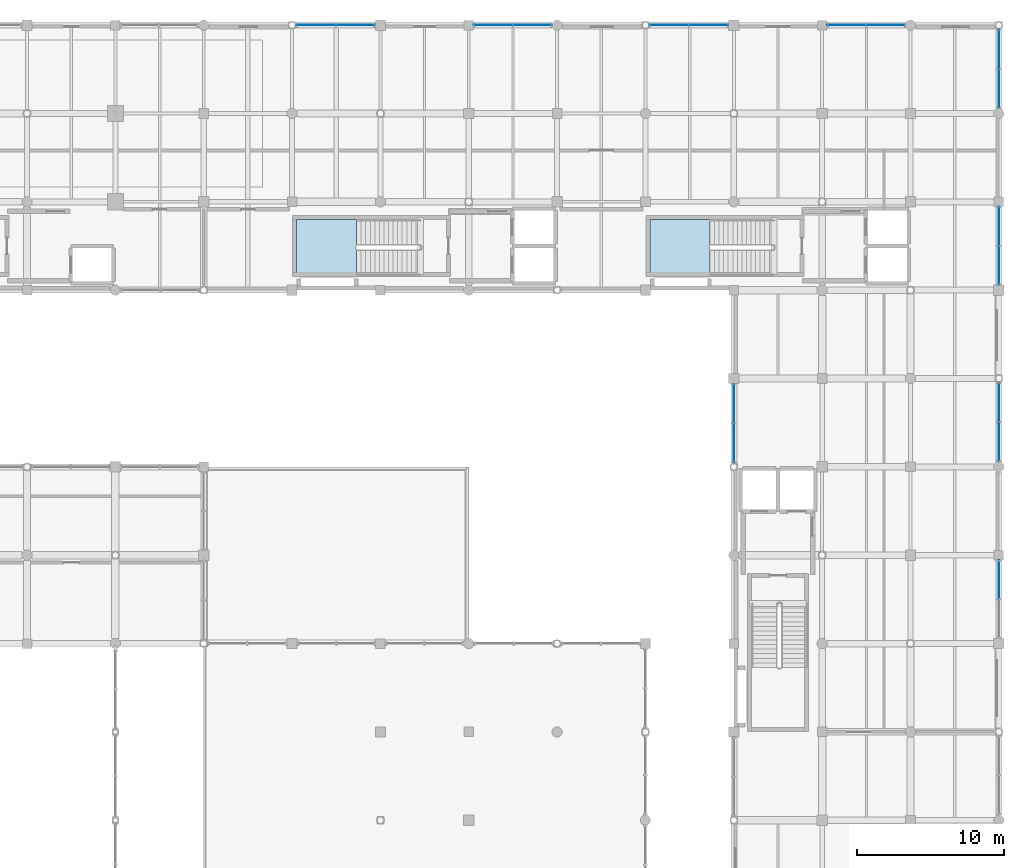
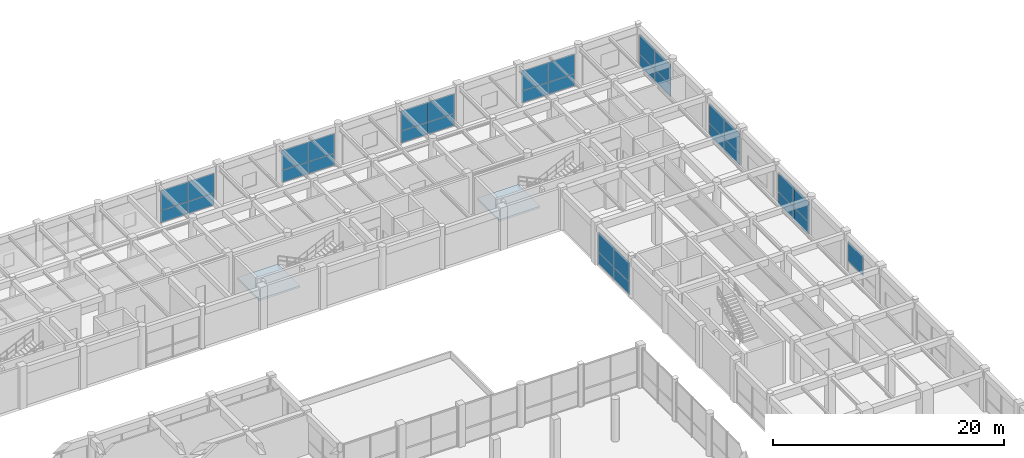
# One storey, part 82 of 116: 33 plates, 2 slabs, 11 elements without a shape of their own.
"""IFC4 building model written with IfcOpenShell, lengths in metres."""

from ifc_helpers import new_model, si_unit, direction, frame, frame_2d, origin, place, context, subcontext, project, spatial, polyline, rectangle, outline, extrude, material, layer, layer_set, type_object, element, aggregate, save


model = new_model("IFC4")

# Units and contexts
model_context = context("Model", 3, precision=1e-05, world=origin(), true_north=direction((0.0, 1.0)))
body_context = subcontext(model_context, "Body", "Model", "MODEL_VIEW")
ifc_project = project(units=[si_unit("LENGTHUNIT", "METRE"), si_unit("AREAUNIT", "SQUARE_METRE"), si_unit("VOLUMEUNIT", "CUBIC_METRE"), si_unit("PLANEANGLEUNIT", "RADIAN"), si_unit("MASSUNIT", "GRAM", prefix="KILO"), si_unit("THERMODYNAMICTEMPERATUREUNIT", "KELVIN"), si_unit("POWERUNIT", "WATT")], contexts=[model_context])

# Site, building, storey
site_placement = place(None, origin())
site = spatial("IfcSite", under=ifc_project, at=site_placement, CompositionType="ELEMENT")
building_placement = place(site_placement, origin())
building = spatial("IfcBuilding", under=site, at=building_placement, Name="Phaisarnlok Congress Hotel", CompositionType="ELEMENT")
storey_placement = place(building_placement, frame((0.0, 0.0, 10.5)))
storey = spatial("IfcBuildingStorey", under=building, at=storey_placement, Name="L02", CompositionType="ELEMENT", Elevation=10.5)

# Curtain wall, plates
ifc_material_1 = material(Name="Thermally Broken Unitised Aluminium & Low-E Glazing", Category="aluminium")
curtain_wall_type_1 = type_object("IfcCurtainWallType", Name="CW-UNIT-17", PredefinedType="NOTDEFINED", material=ifc_material_1)
curtain_wall_1_placement = place(storey_placement, origin())
curtain_wall_1 = element("IfcCurtainWall", 1, at=curtain_wall_1_placement, inside=storey, type_object=curtain_wall_type_1, Name="Unitised curtain wall CW-17 (L02)", PredefinedType="NOTDEFINED")
ifc_material_2 = material(Name="Double Low-E Insulated Glazing", Category="glass")
ifc_layer_1 = layer(ifc_material_2, 0.028076171875, Name="Double Low-E Insulated Glazing")
ifc_layer_set_1 = layer_set([ifc_layer_1], Name="Double Low-E Insulated Glazing")
plate_type = type_object("IfcPlateType", Name="CWP-GLZ-28", PredefinedType="CURTAIN_PANEL", material=ifc_layer_set_1)
plate_1_placement = place(storey_placement, frame((162.0, 101.625, 0.0400390625), z_axis=(0.0, 0.0, 1.0), x_axis=(0.0, -1.0, 0.0)))
plate_1 = element("IfcPlate", 2, at=plate_1_placement, type_object=plate_type, Name="Glazed curtain panel CWP-01", PredefinedType="CURTAIN_PANEL", context=body_context, shape_type="SweptSolid", body=[
    extrude(rectangle(XDim=2.657958984375, YDim=0.028076171875, at=frame_2d((1.3291015625, 0.0))), origin(), (0.0, 0.0, 1.0), 1.2861328125),
])
plate_2_placement = place(storey_placement, frame((162.0, 101.625, 1.326171875), z_axis=(0.0, 0.0, 1.0), x_axis=(0.0, -1.0, 0.0)))
plate_2 = element("IfcPlate", 3, at=plate_2_placement, type_object=plate_type, Name="Glazed curtain panel CWP-01", PredefinedType="CURTAIN_PANEL", context=body_context, shape_type="SweptSolid", body=[
    extrude(rectangle(XDim=2.657958984375, YDim=0.028076171875, at=frame_2d((1.3291015625, 0.0))), origin(), (0.0, 0.0, 1.0), 2.123779296875),
])
plate_3_placement = place(storey_placement, frame((162.0, 98.93701171875, 0.0400390625), z_axis=(0.0, 0.0, 1.0), x_axis=(0.0, -1.0, 0.0)))
plate_3 = element("IfcPlate", 4, at=plate_3_placement, type_object=plate_type, Name="Glazed curtain panel CWP-01", PredefinedType="CURTAIN_PANEL", context=body_context, shape_type="SweptSolid", body=[
    extrude(rectangle(XDim=2.657958984375, YDim=0.028076171875, at=frame_2d((1.3291015625, 0.0))), origin(), (0.0, 0.0, 1.0), 1.2861328125),
])
plate_4_placement = place(storey_placement, frame((162.0, 98.93701171875, 1.326171875), z_axis=(0.0, 0.0, 1.0), x_axis=(0.0, -1.0, 0.0)))
plate_4 = element("IfcPlate", 5, at=plate_4_placement, type_object=plate_type, Name="Glazed curtain panel CWP-01", PredefinedType="CURTAIN_PANEL", context=body_context, shape_type="SweptSolid", body=[
    extrude(rectangle(XDim=2.657958984375, YDim=0.028076171875, at=frame_2d((1.3291015625, 0.0))), origin(), (0.0, 0.0, 1.0), 2.123779296875),
])
aggregate(curtain_wall_1, [plate_1, plate_2, plate_3, plate_4])

# Curtain wall, plate
curtain_wall_type_2 = type_object("IfcCurtainWallType", Name="CW-UNIT-16", PredefinedType="NOTDEFINED", material=ifc_material_1)
curtain_wall_2_placement = place(storey_placement, origin())
curtain_wall_2 = element("IfcCurtainWall", 6, at=curtain_wall_2_placement, inside=storey, type_object=curtain_wall_type_2, Name="Unitised curtain wall CW-16 (L02)", PredefinedType="NOTDEFINED")
plate_5_placement = place(storey_placement, frame((180.0, 87.027587890625, 1.326171875), z_axis=(0.0, 0.0, 1.0), x_axis=(0.0, 1.0, 0.0)))
plate_5 = element("IfcPlate", 7, at=plate_5_placement, type_object=plate_type, Name="Glazed curtain panel CWP-01", PredefinedType="CURTAIN_PANEL", context=body_context, shape_type="SweptSolid", body=[
    extrude(rectangle(XDim=2.622314453125, YDim=0.028076171875, at=frame_2d((1.31103515625, 0.0))), origin(), (0.0, 0.0, 1.0), 2.123779296875),
])
aggregate(curtain_wall_2, [plate_5])

# Curtain wall, plates
curtain_wall_3_placement = place(storey_placement, origin())
curtain_wall_3 = element("IfcCurtainWall", 8, at=curtain_wall_3_placement, inside=storey, type_object=curtain_wall_type_1, Name="Unitised curtain wall CW-17 (L02)", PredefinedType="NOTDEFINED")
plate_6_placement = place(storey_placement, frame((180.0, 96.375, 0.0400390625), z_axis=(0.0, 0.0, 1.0), x_axis=(0.0, 1.0, 0.0)))
plate_6 = element("IfcPlate", 9, at=plate_6_placement, type_object=plate_type, Name="Glazed curtain panel CWP-01", PredefinedType="CURTAIN_PANEL", context=body_context, shape_type="SweptSolid", body=[
    extrude(rectangle(XDim=2.657958984375, YDim=0.028076171875, at=frame_2d((1.3291015625, 0.0))), origin(), (0.0, 0.0, 1.0), 1.2861328125),
])
plate_7_placement = place(storey_placement, frame((180.0, 96.375, 1.326171875), z_axis=(0.0, 0.0, 1.0), x_axis=(0.0, 1.0, 0.0)))
plate_7 = element("IfcPlate", 10, at=plate_7_placement, type_object=plate_type, Name="Glazed curtain panel CWP-01", PredefinedType="CURTAIN_PANEL", context=body_context, shape_type="SweptSolid", body=[
    extrude(rectangle(XDim=2.657958984375, YDim=0.028076171875, at=frame_2d((1.3291015625, 0.0))), origin(), (0.0, 0.0, 1.0), 2.123779296875),
])
plate_8_placement = place(storey_placement, frame((180.0, 99.06298828125, 0.0400390625), z_axis=(0.0, 0.0, 1.0), x_axis=(0.0, 1.0, 0.0)))
plate_8 = element("IfcPlate", 11, at=plate_8_placement, type_object=plate_type, Name="Glazed curtain panel CWP-01", PredefinedType="CURTAIN_PANEL", context=body_context, shape_type="SweptSolid", body=[
    extrude(rectangle(XDim=2.657958984375, YDim=0.028076171875, at=frame_2d((1.3291015625, 0.0))), origin(), (0.0, 0.0, 1.0), 1.2861328125),
])
plate_9_placement = place(storey_placement, frame((180.0, 99.06298828125, 1.326171875), z_axis=(0.0, 0.0, 1.0), x_axis=(0.0, 1.0, 0.0)))
plate_9 = element("IfcPlate", 12, at=plate_9_placement, type_object=plate_type, Name="Glazed curtain panel CWP-01", PredefinedType="CURTAIN_PANEL", context=body_context, shape_type="SweptSolid", body=[
    extrude(rectangle(XDim=2.657958984375, YDim=0.028076171875, at=frame_2d((1.3291015625, 0.0))), origin(), (0.0, 0.0, 1.0), 2.123779296875),
])
aggregate(curtain_wall_3, [plate_6, plate_7, plate_8, plate_9])

curtain_wall_4_placement = place(storey_placement, origin())
curtain_wall_4 = element("IfcCurtainWall", 13, at=curtain_wall_4_placement, inside=storey, type_object=curtain_wall_type_2, Name="Unitised curtain wall CW-16 (L02)", PredefinedType="NOTDEFINED")
plate_10_placement = place(storey_placement, frame((180.0, 108.375, 0.0400390625), z_axis=(0.0, 0.0, 1.0), x_axis=(0.0, 1.0, 0.0)))
plate_10 = element("IfcPlate", 14, at=plate_10_placement, type_object=plate_type, Name="Glazed curtain panel CWP-01", PredefinedType="CURTAIN_PANEL", context=body_context, shape_type="SweptSolid", body=[
    extrude(rectangle(XDim=2.62255859375, YDim=0.028076171875, at=frame_2d((1.311279296875, 0.0))), origin(), (0.0, 0.0, 1.0), 1.2861328125),
])
plate_11_placement = place(storey_placement, frame((180.0, 108.375, 1.326171875), z_axis=(0.0, 0.0, 1.0), x_axis=(0.0, 1.0, 0.0)))
plate_11 = element("IfcPlate", 15, at=plate_11_placement, type_object=plate_type, Name="Glazed curtain panel CWP-01", PredefinedType="CURTAIN_PANEL", context=body_context, shape_type="SweptSolid", body=[
    extrude(rectangle(XDim=2.62255859375, YDim=0.028076171875, at=frame_2d((1.311279296875, 0.0))), origin(), (0.0, 0.0, 1.0), 2.123779296875),
])
plate_12_placement = place(storey_placement, frame((180.0, 111.027587890625, 0.0400390625), z_axis=(0.0, 0.0, 1.0), x_axis=(0.0, 1.0, 0.0)))
plate_12 = element("IfcPlate", 16, at=plate_12_placement, type_object=plate_type, Name="Glazed curtain panel CWP-01", PredefinedType="CURTAIN_PANEL", context=body_context, shape_type="SweptSolid", body=[
    extrude(rectangle(XDim=2.622314453125, YDim=0.028076171875, at=frame_2d((1.31103515625, 0.0))), origin(), (0.0, 0.0, 1.0), 1.2861328125),
])
plate_13_placement = place(storey_placement, frame((180.0, 111.027587890625, 1.326171875), z_axis=(0.0, 0.0, 1.0), x_axis=(0.0, 1.0, 0.0)))
plate_13 = element("IfcPlate", 17, at=plate_13_placement, type_object=plate_type, Name="Glazed curtain panel CWP-01", PredefinedType="CURTAIN_PANEL", context=body_context, shape_type="SweptSolid", body=[
    extrude(rectangle(XDim=2.622314453125, YDim=0.028076171875, at=frame_2d((1.31103515625, 0.0))), origin(), (0.0, 0.0, 1.0), 2.123779296875),
])
aggregate(curtain_wall_4, [plate_10, plate_11, plate_12, plate_13])

curtain_wall_5_placement = place(storey_placement, origin())
curtain_wall_5 = element("IfcCurtainWall", 18, at=curtain_wall_5_placement, inside=storey, type_object=curtain_wall_type_1, Name="Unitised curtain wall CW-17 (L02)", PredefinedType="NOTDEFINED")
plate_14_placement = place(storey_placement, frame((180.0, 120.375, 0.0400390625), z_axis=(0.0, 0.0, 1.0), x_axis=(0.0, 1.0, 0.0)))
plate_14 = element("IfcPlate", 19, at=plate_14_placement, type_object=plate_type, Name="Glazed curtain panel CWP-01", PredefinedType="CURTAIN_PANEL", context=body_context, shape_type="SweptSolid", body=[
    extrude(rectangle(XDim=2.657958984375, YDim=0.028076171875, at=frame_2d((1.3291015625, 0.0))), origin(), (0.0, 0.0, 1.0), 1.2861328125),
])
plate_15_placement = place(storey_placement, frame((180.0, 120.375, 1.326171875), z_axis=(0.0, 0.0, 1.0), x_axis=(0.0, 1.0, 0.0)))
plate_15 = element("IfcPlate", 20, at=plate_15_placement, type_object=plate_type, Name="Glazed curtain panel CWP-01", PredefinedType="CURTAIN_PANEL", context=body_context, shape_type="SweptSolid", body=[
    extrude(rectangle(XDim=2.657958984375, YDim=0.028076171875, at=frame_2d((1.3291015625, 0.0))), origin(), (0.0, 0.0, 1.0), 2.123779296875),
])
plate_16_placement = place(storey_placement, frame((180.0, 123.06298828125, 0.0400390625), z_axis=(0.0, 0.0, 1.0), x_axis=(0.0, 1.0, 0.0)))
plate_16 = element("IfcPlate", 21, at=plate_16_placement, type_object=plate_type, Name="Glazed curtain panel CWP-01", PredefinedType="CURTAIN_PANEL", context=body_context, shape_type="SweptSolid", body=[
    extrude(rectangle(XDim=2.657958984375, YDim=0.028076171875, at=frame_2d((1.3291015625, 0.0))), origin(), (0.0, 0.0, 1.0), 1.2861328125),
])
plate_17_placement = place(storey_placement, frame((180.0, 123.06298828125, 1.326171875), z_axis=(0.0, 0.0, 1.0), x_axis=(0.0, 1.0, 0.0)))
plate_17 = element("IfcPlate", 22, at=plate_17_placement, type_object=plate_type, Name="Glazed curtain panel CWP-01", PredefinedType="CURTAIN_PANEL", context=body_context, shape_type="SweptSolid", body=[
    extrude(rectangle(XDim=2.657958984375, YDim=0.028076171875, at=frame_2d((1.3291015625, 0.0))), origin(), (0.0, 0.0, 1.0), 2.123779296875),
])
aggregate(curtain_wall_5, [plate_14, plate_15, plate_16, plate_17])

curtain_wall_6_placement = place(storey_placement, origin())
curtain_wall_6 = element("IfcCurtainWall", 23, at=curtain_wall_6_placement, inside=storey, type_object=curtain_wall_type_2, Name="Unitised curtain wall CW-16 (L02)", PredefinedType="NOTDEFINED")
plate_18_placement = place(storey_placement, frame((173.625, 126.0, 0.0400390625), z_axis=(0.0, 0.0, 1.0), x_axis=(-1.0, 0.0, 0.0)))
plate_18 = element("IfcPlate", 24, at=plate_18_placement, type_object=plate_type, Name="Glazed curtain panel CWP-01", PredefinedType="CURTAIN_PANEL", context=body_context, shape_type="SweptSolid", body=[
    extrude(rectangle(XDim=2.62255859375, YDim=0.028076171875, at=frame_2d((1.311279296875, 0.0))), origin(), (0.0, 0.0, 1.0), 1.2861328125),
])
plate_19_placement = place(storey_placement, frame((173.625, 126.0, 1.326171875), z_axis=(0.0, 0.0, 1.0), x_axis=(-1.0, 0.0, 0.0)))
plate_19 = element("IfcPlate", 25, at=plate_19_placement, type_object=plate_type, Name="Glazed curtain panel CWP-01", PredefinedType="CURTAIN_PANEL", context=body_context, shape_type="SweptSolid", body=[
    extrude(rectangle(XDim=2.62255859375, YDim=0.028076171875, at=frame_2d((1.311279296875, 0.0))), origin(), (0.0, 0.0, 1.0), 2.123779296875),
])
plate_20_placement = place(storey_placement, frame((170.972412109375, 126.0, 0.0400390625), z_axis=(0.0, 0.0, 1.0), x_axis=(-1.0, 0.0, 0.0)))
plate_20 = element("IfcPlate", 26, at=plate_20_placement, type_object=plate_type, Name="Glazed curtain panel CWP-01", PredefinedType="CURTAIN_PANEL", context=body_context, shape_type="SweptSolid", body=[
    extrude(rectangle(XDim=2.622314453125, YDim=0.028076171875, at=frame_2d((1.31103515625, 0.0))), origin(), (0.0, 0.0, 1.0), 1.2861328125),
])
plate_21_placement = place(storey_placement, frame((170.972412109375, 126.0, 1.326171875), z_axis=(0.0, 0.0, 1.0), x_axis=(-1.0, 0.0, 0.0)))
plate_21 = element("IfcPlate", 27, at=plate_21_placement, type_object=plate_type, Name="Glazed curtain panel CWP-01", PredefinedType="CURTAIN_PANEL", context=body_context, shape_type="SweptSolid", body=[
    extrude(rectangle(XDim=2.622314453125, YDim=0.028076171875, at=frame_2d((1.31103515625, 0.0))), origin(), (0.0, 0.0, 1.0), 2.123779296875),
])
aggregate(curtain_wall_6, [plate_18, plate_19, plate_20, plate_21])

curtain_wall_7_placement = place(storey_placement, origin())
curtain_wall_7 = element("IfcCurtainWall", 28, at=curtain_wall_7_placement, inside=storey, type_object=curtain_wall_type_1, Name="Unitised curtain wall CW-17 (L02)", PredefinedType="NOTDEFINED")
plate_22_placement = place(storey_placement, frame((161.625, 126.0, 0.0400390625), z_axis=(0.0, 0.0, 1.0), x_axis=(-1.0, 0.0, 0.0)))
plate_22 = element("IfcPlate", 29, at=plate_22_placement, type_object=plate_type, Name="Glazed curtain panel CWP-01", PredefinedType="CURTAIN_PANEL", context=body_context, shape_type="SweptSolid", body=[
    extrude(rectangle(XDim=2.657958984375, YDim=0.028076171875, at=frame_2d((1.3291015625, 0.0))), origin(), (0.0, 0.0, 1.0), 1.2861328125),
])
plate_23_placement = place(storey_placement, frame((161.625, 126.0, 1.326171875), z_axis=(0.0, 0.0, 1.0), x_axis=(-1.0, 0.0, 0.0)))
plate_23 = element("IfcPlate", 30, at=plate_23_placement, type_object=plate_type, Name="Glazed curtain panel CWP-01", PredefinedType="CURTAIN_PANEL", context=body_context, shape_type="SweptSolid", body=[
    extrude(rectangle(XDim=2.657958984375, YDim=0.028076171875, at=frame_2d((1.3291015625, 0.0))), origin(), (0.0, 0.0, 1.0), 2.123779296875),
])
plate_24_placement = place(storey_placement, frame((158.93701171875, 126.0, 0.0400390625), z_axis=(0.0, 0.0, 1.0), x_axis=(-1.0, 0.0, 0.0)))
plate_24 = element("IfcPlate", 31, at=plate_24_placement, type_object=plate_type, Name="Glazed curtain panel CWP-01", PredefinedType="CURTAIN_PANEL", context=body_context, shape_type="SweptSolid", body=[
    extrude(rectangle(XDim=2.657958984375, YDim=0.028076171875, at=frame_2d((1.3291015625, 0.0))), origin(), (0.0, 0.0, 1.0), 1.2861328125),
])
plate_25_placement = place(storey_placement, frame((158.93701171875, 126.0, 1.326171875), z_axis=(0.0, 0.0, 1.0), x_axis=(-1.0, 0.0, 0.0)))
plate_25 = element("IfcPlate", 32, at=plate_25_placement, type_object=plate_type, Name="Glazed curtain panel CWP-01", PredefinedType="CURTAIN_PANEL", context=body_context, shape_type="SweptSolid", body=[
    extrude(rectangle(XDim=2.657958984375, YDim=0.028076171875, at=frame_2d((1.3291015625, 0.0))), origin(), (0.0, 0.0, 1.0), 2.123779296875),
])
aggregate(curtain_wall_7, [plate_22, plate_23, plate_24, plate_25])

curtain_wall_8_placement = place(storey_placement, origin())
curtain_wall_8 = element("IfcCurtainWall", 33, at=curtain_wall_8_placement, inside=storey, type_object=curtain_wall_type_2, Name="Unitised curtain wall CW-16 (L02)", PredefinedType="NOTDEFINED")
plate_26_placement = place(storey_placement, frame((149.625, 126.0, 0.0400390625), z_axis=(0.0, 0.0, 1.0), x_axis=(-1.0, 0.0, 0.0)))
plate_26 = element("IfcPlate", 34, at=plate_26_placement, type_object=plate_type, Name="Glazed curtain panel CWP-01", PredefinedType="CURTAIN_PANEL", context=body_context, shape_type="SweptSolid", body=[
    extrude(rectangle(XDim=2.62255859375, YDim=0.028076171875, at=frame_2d((1.311279296875, 0.0))), origin(), (0.0, 0.0, 1.0), 1.2861328125),
])
plate_27_placement = place(storey_placement, frame((149.625, 126.0, 1.326171875), z_axis=(0.0, 0.0, 1.0), x_axis=(-1.0, 0.0, 0.0)))
plate_27 = element("IfcPlate", 35, at=plate_27_placement, type_object=plate_type, Name="Glazed curtain panel CWP-01", PredefinedType="CURTAIN_PANEL", context=body_context, shape_type="SweptSolid", body=[
    extrude(rectangle(XDim=2.62255859375, YDim=0.028076171875, at=frame_2d((1.311279296875, 0.0))), origin(), (0.0, 0.0, 1.0), 2.123779296875),
])
plate_28_placement = place(storey_placement, frame((146.972412109375, 126.0, 0.0400390625), z_axis=(0.0, 0.0, 1.0), x_axis=(-1.0, 0.0, 0.0)))
plate_28 = element("IfcPlate", 36, at=plate_28_placement, type_object=plate_type, Name="Glazed curtain panel CWP-01", PredefinedType="CURTAIN_PANEL", context=body_context, shape_type="SweptSolid", body=[
    extrude(rectangle(XDim=2.622314453125, YDim=0.028076171875, at=frame_2d((1.31103515625, 0.0))), origin(), (0.0, 0.0, 1.0), 1.2861328125),
])
plate_29_placement = place(storey_placement, frame((146.972412109375, 126.0, 1.326171875), z_axis=(0.0, 0.0, 1.0), x_axis=(-1.0, 0.0, 0.0)))
plate_29 = element("IfcPlate", 37, at=plate_29_placement, type_object=plate_type, Name="Glazed curtain panel CWP-01", PredefinedType="CURTAIN_PANEL", context=body_context, shape_type="SweptSolid", body=[
    extrude(rectangle(XDim=2.622314453125, YDim=0.028076171875, at=frame_2d((1.31103515625, 0.0))), origin(), (0.0, 0.0, 1.0), 2.123779296875),
])
aggregate(curtain_wall_8, [plate_26, plate_27, plate_28, plate_29])

curtain_wall_9_placement = place(storey_placement, origin())
curtain_wall_9 = element("IfcCurtainWall", 38, at=curtain_wall_9_placement, inside=storey, type_object=curtain_wall_type_1, Name="Unitised curtain wall CW-17 (L02)", PredefinedType="NOTDEFINED")
plate_30_placement = place(storey_placement, frame((137.625, 126.0, 0.0400390625), z_axis=(0.0, 0.0, 1.0), x_axis=(-1.0, 0.0, 0.0)))
plate_30 = element("IfcPlate", 39, at=plate_30_placement, type_object=plate_type, Name="Glazed curtain panel CWP-01", PredefinedType="CURTAIN_PANEL", context=body_context, shape_type="SweptSolid", body=[
    extrude(rectangle(XDim=2.657958984375, YDim=0.028076171875, at=frame_2d((1.3291015625, 0.0))), origin(), (0.0, 0.0, 1.0), 1.2861328125),
])
plate_31_placement = place(storey_placement, frame((137.625, 126.0, 1.326171875), z_axis=(0.0, 0.0, 1.0), x_axis=(-1.0, 0.0, 0.0)))
plate_31 = element("IfcPlate", 40, at=plate_31_placement, type_object=plate_type, Name="Glazed curtain panel CWP-01", PredefinedType="CURTAIN_PANEL", context=body_context, shape_type="SweptSolid", body=[
    extrude(rectangle(XDim=2.657958984375, YDim=0.028076171875, at=frame_2d((1.3291015625, 0.0))), origin(), (0.0, 0.0, 1.0), 2.123779296875),
])
plate_32_placement = place(storey_placement, frame((134.93701171875, 126.0, 0.0400390625), z_axis=(0.0, 0.0, 1.0), x_axis=(-1.0, 0.0, 0.0)))
plate_32 = element("IfcPlate", 41, at=plate_32_placement, type_object=plate_type, Name="Glazed curtain panel CWP-01", PredefinedType="CURTAIN_PANEL", context=body_context, shape_type="SweptSolid", body=[
    extrude(rectangle(XDim=2.657958984375, YDim=0.028076171875, at=frame_2d((1.3291015625, 0.0))), origin(), (0.0, 0.0, 1.0), 1.2861328125),
])
plate_33_placement = place(storey_placement, frame((134.93701171875, 126.0, 1.326171875), z_axis=(0.0, 0.0, 1.0), x_axis=(-1.0, 0.0, 0.0)))
plate_33 = element("IfcPlate", 42, at=plate_33_placement, type_object=plate_type, Name="Glazed curtain panel CWP-01", PredefinedType="CURTAIN_PANEL", context=body_context, shape_type="SweptSolid", body=[
    extrude(rectangle(XDim=2.657958984375, YDim=0.028076171875, at=frame_2d((1.3291015625, 0.0))), origin(), (0.0, 0.0, 1.0), 2.123779296875),
])
aggregate(curtain_wall_9, [plate_30, plate_31, plate_32, plate_33])

# Stair, slab
ifc_material_3 = material(Name="Concrete C40/50", Category="concrete")
stair_type = type_object("IfcStairType", Name="STR-DOG-03", PredefinedType="HALF_TURN_STAIR", material=ifc_material_3)
stair_1_placement = place(storey_placement, origin())
stair_1 = element("IfcStair", 43, at=stair_1_placement, inside=storey, type_object=stair_type, Name="L02 ST-05", PredefinedType="HALF_TURN_STAIR")
ifc_layer_2 = layer(ifc_material_3, 0.199951171875, Name="Concrete C40/50")
ifc_layer_set_2 = layer_set([ifc_layer_2], Name="Concrete C40/50")
slab_type = type_object("IfcSlabType", Name="SLB-LND-200", PredefinedType="LANDING", material=ifc_layer_set_2)
slab_1_placement = place(storey_placement, frame((0.0, 0.0, 2.050048828125)))
slab_1 = element("IfcSlab", 44, at=slab_1_placement, type_object=slab_type, Name="ST-05 landing 1", PredefinedType="LANDING", context=body_context, shape_type="SweptSolid", body=[
    extrude(outline(polyline([(160.3798828125, 112.800048828125), (156.300048828125, 112.800048828125), (156.300048828125, 109.0), (160.3798828125, 109.0), (160.3798828125, 112.800048828125)])), origin(), (0.0, 0.0, 1.0), 0.199951171875),
])
aggregate(stair_1, [slab_1])

stair_2_placement = place(storey_placement, origin())
stair_2 = element("IfcStair", 45, at=stair_2_placement, inside=storey, type_object=stair_type, Name="L02 ST-06", PredefinedType="HALF_TURN_STAIR")
slab_2_placement = place(storey_placement, frame((0.0, 0.0, 2.050048828125)))
slab_2 = element("IfcSlab", 46, at=slab_2_placement, type_object=slab_type, Name="ST-06 landing 1", PredefinedType="LANDING", context=body_context, shape_type="SweptSolid", body=[
    extrude(outline(polyline([(136.3798828125, 112.800048828125), (132.300048828125, 112.800048828125), (132.300048828125, 109.0), (136.3798828125, 109.0), (136.3798828125, 112.800048828125)])), origin(), (0.0, 0.0, 1.0), 0.199951171875),
])
aggregate(stair_2, [slab_2])

save(model, "model.ifc")
